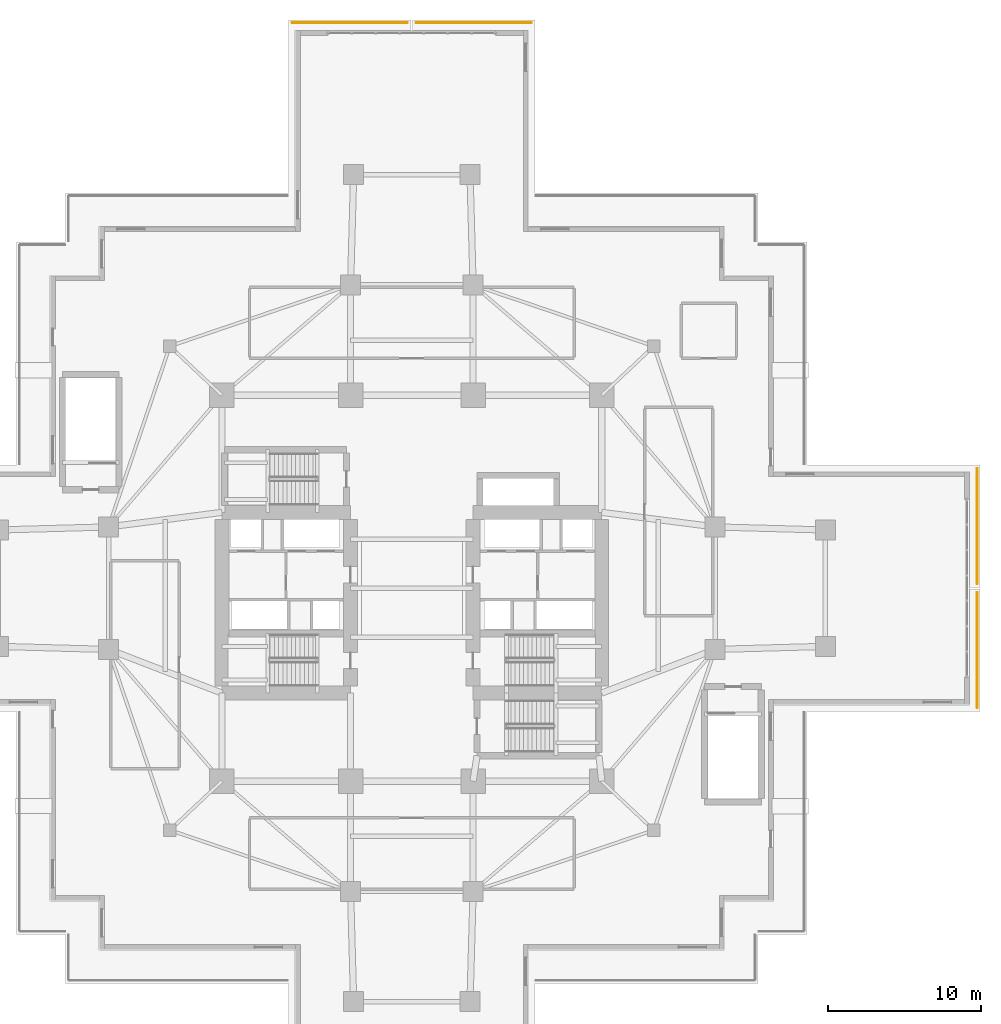
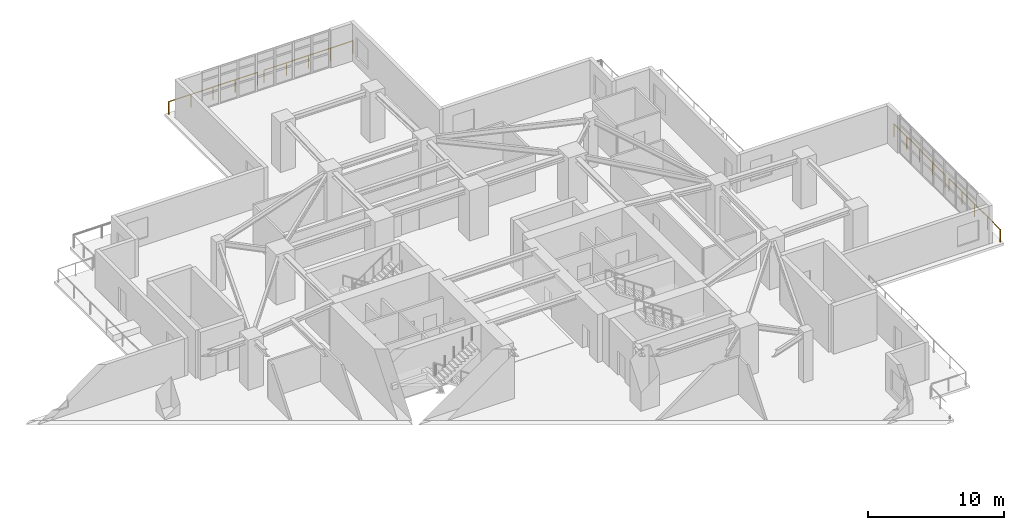
# One storey, part 24 of 24: 4 railings.
"""IFC4 building model written with IfcOpenShell, lengths in metres."""

from ifc_helpers import new_model, si_unit, direction, frame, origin, origin_2d, place, context, subcontext, project, spatial, circle, extrude, material, type_object, element, save


model = new_model("IFC4")

# Units and contexts
model_context = context("Model", 3, precision=1e-05, world=origin(), true_north=direction((0.0, 1.0)))
body_context = subcontext(model_context, "Body", "Model", "MODEL_VIEW")
ifc_project = project(units=[si_unit("LENGTHUNIT", "METRE"), si_unit("AREAUNIT", "SQUARE_METRE"), si_unit("VOLUMEUNIT", "CUBIC_METRE"), si_unit("PLANEANGLEUNIT", "RADIAN"), si_unit("MASSUNIT", "GRAM", prefix="KILO")], contexts=[model_context])

# Site, building, storey
site_placement = place(None, origin())
site = spatial("IfcSite", under=ifc_project, at=site_placement, CompositionType="ELEMENT")
building_placement = place(site_placement, origin())
building = spatial("IfcBuilding", under=site, at=building_placement, Name="Qingluan Cross Belvedere", CompositionType="ELEMENT")
storey_placement = place(building_placement, frame((0.0, 0.0, 19.199951171875)))
storey = spatial("IfcBuildingStorey", under=building, at=storey_placement, Name="L05", CompositionType="ELEMENT", Elevation=19.199951171875)

# Railings
ifc_material = material(Name="Laminated glass and stainless steel balustrade", Category="steel")
railing_type = type_object("IfcRailingType", Name="TerraceGuardBalustrade_1150", PredefinedType="BALUSTRADE", material=ifc_material)
railing_1_placement = place(storey_placement, frame((0.2900390625, 36.919921875, 0.0)))
element("IfcRailing", 1, at=railing_1_placement, inside=storey, type_object=railing_type, Name="Terrace guard L05-1", PredefinedType="BALUSTRADE", context=body_context, shape_type="SweptSolid", body=[
    extrude(circle(Radius=0.02392578125, at=origin_2d()), frame((0.0, 0.0, 1.1259765625), z_axis=(1.0, 0.0, 0.0), x_axis=(0.0, 1.0, 0.0)), (0.0, 0.0, 1.0), 7.52001953125),
    extrude(circle(Radius=0.02099609375, at=origin_2d()), origin(), (0.0, 0.0, 1.0), 1.101806640625),
    extrude(circle(Radius=0.02099609375, at=origin_2d()), frame((1.8798828125, 0.0, 0.0)), (0.0, 0.0, 1.0), 1.101806640625),
    extrude(circle(Radius=0.02099609375, at=origin_2d()), frame((3.760009765625, 0.0, 0.0)), (0.0, 0.0, 1.0), 1.101806640625),
    extrude(circle(Radius=0.02099609375, at=origin_2d()), frame((5.64013671875, 0.0, 0.0)), (0.0, 0.0, 1.0), 1.101806640625),
    extrude(circle(Radius=0.02099609375, at=origin_2d()), frame((7.52001953125, 0.0, 0.0)), (0.0, 0.0, 1.0), 1.101806640625),
])
railing_2_placement = place(storey_placement, frame((36.919921875, 7.81005859375, 0.0)))
element("IfcRailing", 2, at=railing_2_placement, inside=storey, type_object=railing_type, Name="Terrace guard L05-6", PredefinedType="BALUSTRADE", context=body_context, shape_type="SweptSolid", body=[
    extrude(circle(Radius=0.02392578125, at=origin_2d()), frame((0.0, 0.0, 1.1259765625), z_axis=(0.0, -1.0, 0.0), x_axis=(1.0, 0.0, 0.0)), (0.0, 0.0, 1.0), 7.52001953125),
    extrude(circle(Radius=0.02099609375, at=origin_2d()), origin(), (0.0, 0.0, 1.0), 1.101806640625),
    extrude(circle(Radius=0.02099609375, at=origin_2d()), frame((0.0, -1.8798828125, 0.0)), (0.0, 0.0, 1.0), 1.101806640625),
    extrude(circle(Radius=0.02099609375, at=origin_2d()), frame((0.0, -3.760009765625, 0.0)), (0.0, 0.0, 1.0), 1.101806640625),
    extrude(circle(Radius=0.02099609375, at=origin_2d()), frame((0.0, -5.64013671875, 0.0)), (0.0, 0.0, 1.0), 1.101806640625),
    extrude(circle(Radius=0.02099609375, at=origin_2d()), frame((0.0, -7.52001953125, 0.0)), (0.0, 0.0, 1.0), 1.101806640625),
])
railing_3_placement = place(storey_placement, frame((-7.81005859375, 36.919921875, 0.0)))
element("IfcRailing", 3, at=railing_3_placement, inside=storey, type_object=railing_type, Name="Terrace guard L05-6", PredefinedType="BALUSTRADE", context=body_context, shape_type="SweptSolid", body=[
    extrude(circle(Radius=0.02392578125, at=origin_2d()), frame((0.0, 0.0, 1.1259765625), z_axis=(1.0, 0.0, 0.0), x_axis=(0.0, 1.0, 0.0)), (0.0, 0.0, 1.0), 7.52001953125),
    extrude(circle(Radius=0.02099609375, at=origin_2d()), origin(), (0.0, 0.0, 1.0), 1.101806640625),
    extrude(circle(Radius=0.02099609375, at=origin_2d()), frame((1.8798828125, 0.0, 0.0)), (0.0, 0.0, 1.0), 1.101806640625),
    extrude(circle(Radius=0.02099609375, at=origin_2d()), frame((3.760009765625, 0.0, 0.0)), (0.0, 0.0, 1.0), 1.101806640625),
    extrude(circle(Radius=0.02099609375, at=origin_2d()), frame((5.64013671875, 0.0, 0.0)), (0.0, 0.0, 1.0), 1.101806640625),
    extrude(circle(Radius=0.02099609375, at=origin_2d()), frame((7.52001953125, 0.0, 0.0)), (0.0, 0.0, 1.0), 1.101806640625),
])
railing_4_placement = place(storey_placement, frame((36.919921875, -0.2900390625, 0.0)))
element("IfcRailing", 4, at=railing_4_placement, inside=storey, type_object=railing_type, Name="Terrace guard L05-2", PredefinedType="BALUSTRADE", context=body_context, shape_type="SweptSolid", body=[
    extrude(circle(Radius=0.02392578125, at=origin_2d()), frame((0.0, 0.0, 1.1259765625), z_axis=(0.0, -1.0, 0.0), x_axis=(1.0, 0.0, 0.0)), (0.0, 0.0, 1.0), 7.52001953125),
    extrude(circle(Radius=0.02099609375, at=origin_2d()), origin(), (0.0, 0.0, 1.0), 1.101806640625),
    extrude(circle(Radius=0.02099609375, at=origin_2d()), frame((0.0, -1.8798828125, 0.0)), (0.0, 0.0, 1.0), 1.101806640625),
    extrude(circle(Radius=0.02099609375, at=origin_2d()), frame((0.0, -3.760009765625, 0.0)), (0.0, 0.0, 1.0), 1.101806640625),
    extrude(circle(Radius=0.02099609375, at=origin_2d()), frame((0.0, -5.64013671875, 0.0)), (0.0, 0.0, 1.0), 1.101806640625),
    extrude(circle(Radius=0.02099609375, at=origin_2d()), frame((0.0, -7.52001953125, 0.0)), (0.0, 0.0, 1.0), 1.101806640625),
])

save(model, "model.ifc")
